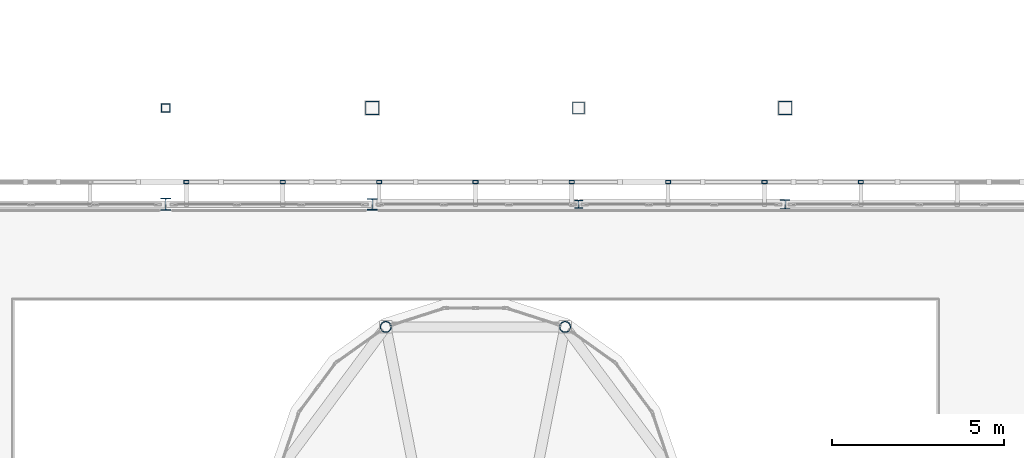
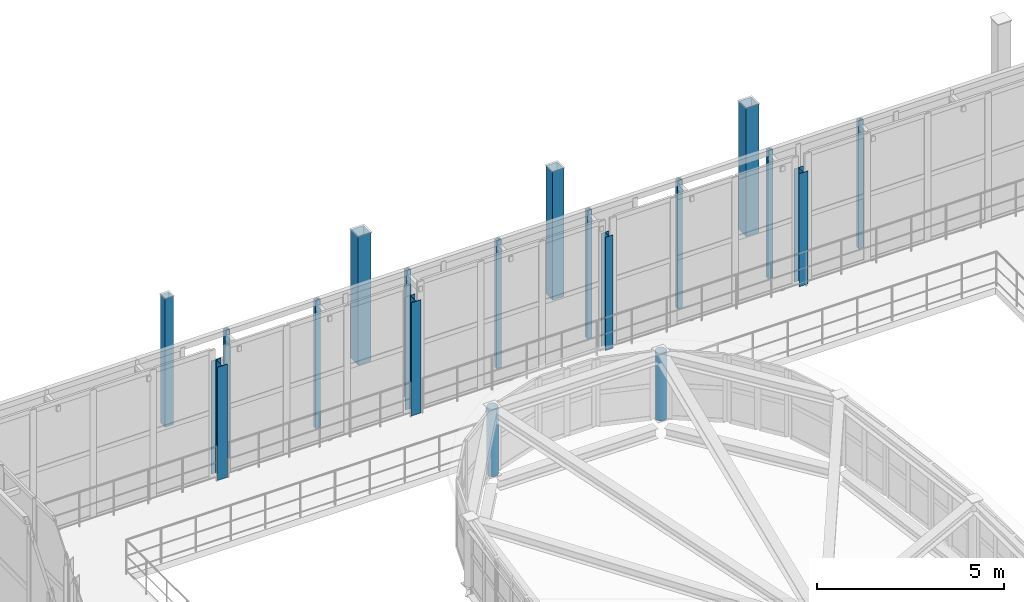
# One storey, part 11 of 78: 18 columns.
"""IFC4 building model written with IfcOpenShell, lengths in metres."""

from ifc_helpers import new_model, si_unit, direction, frame, origin, origin_2d, place, context, subcontext, project, spatial, hollow_rectangle, hollow_circle, i_section, extrude, material, material_profile, profile_set, type_object, element, save


model = new_model("IFC4")

# Units and contexts
model_context = context("Model", 3, precision=1e-05, world=origin(), true_north=direction((0.0, 1.0)))
body_context = subcontext(model_context, "Body", "Model", "MODEL_VIEW")
ifc_project = project(units=[si_unit("LENGTHUNIT", "METRE"), si_unit("AREAUNIT", "SQUARE_METRE"), si_unit("VOLUMEUNIT", "CUBIC_METRE"), si_unit("PLANEANGLEUNIT", "RADIAN"), si_unit("MASSUNIT", "GRAM", prefix="KILO")], contexts=[model_context])

# Site, building, storey
site_placement = place(None, origin())
site = spatial("IfcSite", under=ifc_project, at=site_placement, CompositionType="ELEMENT")
building_placement = place(site_placement, origin())
building = spatial("IfcBuilding", under=site, at=building_placement, Name="Vinh Khe Railworks Police Headquarters", CompositionType="ELEMENT")
storey_placement = place(building_placement, frame((0.0, 0.0, 13.199951171875)))
storey = spatial("IfcBuildingStorey", under=building, at=storey_placement, Name="L03", CompositionType="ELEMENT", Elevation=13.199951171875)

# Columns
ifc_material = material(Name="Steel S355JR", Category="steel")
ifc_material_profile_1 = material_profile(ifc_material, hollow_rectangle(XDim=0.14990234375, YDim=0.10009765625, WallThickness=0.008056640625, at=origin_2d()), Name="RHS 150x100x8")
ifc_profile_set_1 = profile_set([ifc_material_profile_1], Name="Steel S355JR")
column_type_1 = type_object("IfcColumnType", Name="COL-QUILT-POST", PredefinedType="COLUMN", material=ifc_profile_set_1)
for number, where, z_axis, x_axis, name in (
    (1, (34.800048828125, 59.449951171875, 0.0), (0.0, 0.0, 1.0), (1.0, 0.0, 0.0), "Patchwork Quilt Carrier Column N-4 (L03)"),
    (2, (37.60009765625, 59.449951171875, 0.0), (0.0, 0.0, 1.0), (1.0, 0.0, 0.0), "Patchwork Quilt Carrier Column N-5 (L03)"),
    (3, (40.39990234375, 59.449951171875, 0.0), (0.0, 0.0, 1.0), (1.0, 0.0, 0.0), "Patchwork Quilt Carrier Column N-6 (L03)"),
    (4, (43.199951171875, 59.449951171875, 0.0), (0.0, 0.0, 1.0), (1.0, 0.0, 0.0), "Patchwork Quilt Carrier Column N-7 (L03)"),
    (5, (46.0, 59.449951171875, 0.0), (0.0, 0.0, 1.0), (1.0, 0.0, 0.0), "Patchwork Quilt Carrier Column N-8 (L03)"),
    (6, (48.800048828125, 59.449951171875, 0.0), (0.0, 0.0, 1.0), (1.0, 0.0, 0.0), "Patchwork Quilt Carrier Column N-9 (L03)"),
    (7, (51.60009765625, 59.449951171875, 0.0), (0.0, 0.0, 1.0), (1.0, 0.0, 0.0), "Patchwork Quilt Carrier Column N-10 (L03)"),
    (8, (54.39990234375, 59.449951171875, 0.0), (0.0, 0.0, 1.0), (1.0, 0.0, 0.0), "Patchwork Quilt Carrier Column N-11 (L03)"),
):
    element("IfcColumn", number, at=place(storey_placement, frame(where, z_axis=z_axis, x_axis=x_axis)), inside=storey, type_object=column_type_1, Name=name, PredefinedType="COLUMN", context=body_context, shape_type="SweptSolid", body=[
        extrude(hollow_rectangle(XDim=0.14990234375, YDim=0.10009765625, WallThickness=0.008056640625, at=origin_2d()), origin(), (0.0, 0.0, 1.0), 4.199951171875),
    ])
ifc_material_profile_2 = material_profile(ifc_material, hollow_circle(Radius=0.161865234375, WallThickness=0.01611328125, at=origin_2d()), Name="CHS 323.9x16")
ifc_profile_set_2 = profile_set([ifc_material_profile_2], Name="Steel S355JR")
column_type_2 = type_object("IfcColumnType", Name="Steel Column CHS 323.9x16", PredefinedType="COLUMN", material=ifc_profile_set_2)
for number, where, z_axis, x_axis, name in (
    (9, (40.594970703125, 55.237548828125, 0.0), (0.0, 0.0, 1.0), (-0.581981048437, 0.813202348287, 0.0), "Column COL-L03-SC-28-0887"),
    (10, (45.80517578125, 55.237548828125, 0.0), (0.0, 0.0, 1.0), (0.30552912238, 0.952182732136, 0.0), "Column COL-L03-SC-28-0897"),
):
    element("IfcColumn", number, at=place(storey_placement, frame(where, z_axis=z_axis, x_axis=x_axis)), inside=storey, type_object=column_type_2, Name=name, PredefinedType="COLUMN", context=body_context, shape_type="SweptSolid", body=[
        extrude(hollow_circle(Radius=0.161865234375, WallThickness=0.01611328125, at=origin_2d()), origin(), (0.0, 0.0, 1.0), 2.199951171875),
    ])
ifc_material_profile_3 = material_profile(ifc_material, i_section(OverallWidth=0.239990234375, OverallDepth=0.22998046875, WebThickness=0.007568359375, FlangeThickness=0.011962890625, FilletRadius=0.02099609375, at=origin_2d()), Name="HEA 240")
ifc_profile_set_3 = profile_set([ifc_material_profile_3], Name="Steel S355JR")
column_type_3 = type_object("IfcColumnType", Name="Steel Column HEA 240", PredefinedType="COLUMN", material=ifc_profile_set_3)
column_1_placement = place(storey_placement, frame((46.199951171875, 58.800048828125, 0.0), z_axis=(0.0, 0.0, 1.0), x_axis=(1.0, 0.0, 0.0)))
element("IfcColumn", 11, at=column_1_placement, inside=storey, type_object=column_type_3, Name="Column COL-L03-SC-20-0916", PredefinedType="COLUMN", context=body_context, shape_type="SweptSolid", body=[
    extrude(i_section(OverallWidth=0.239990234375, OverallDepth=0.22998046875, WebThickness=0.007568359375, FlangeThickness=0.011962890625, FilletRadius=0.02099609375, at=origin_2d()), origin(), (0.0, 0.0, 1.0), 3.699951171875),
])
ifc_material_profile_4 = material_profile(ifc_material, i_section(OverallWidth=0.280029296875, OverallDepth=0.27001953125, WebThickness=0.008056640625, FlangeThickness=0.012939453125, FilletRadius=0.02392578125, at=origin_2d()), Name="HEA 280")
ifc_profile_set_4 = profile_set([ifc_material_profile_4], Name="Steel S355JR")
column_type_4 = type_object("IfcColumnType", Name="Steel Column HEA 280", PredefinedType="COLUMN", material=ifc_profile_set_4)
column_2_placement = place(storey_placement, frame((52.199951171875, 58.800048828125, 0.0), z_axis=(0.0, 0.0, 1.0), x_axis=(1.0, 0.0, 0.0)))
element("IfcColumn", 12, at=column_2_placement, inside=storey, type_object=column_type_4, Name="Column COL-L03-SC-19-0977", PredefinedType="COLUMN", context=body_context, shape_type="SweptSolid", body=[
    extrude(i_section(OverallWidth=0.280029296875, OverallDepth=0.27001953125, WebThickness=0.008056640625, FlangeThickness=0.012939453125, FilletRadius=0.02392578125, at=origin_2d()), origin(), (0.0, 0.0, 1.0), 3.699951171875),
])
ifc_material_profile_5 = material_profile(ifc_material, i_section(OverallWidth=0.300048828125, OverallDepth=0.330078125, WebThickness=0.009521484375, FlangeThickness=0.0166015625, FilletRadius=0.027099609375, at=origin_2d()), Name="HEA 340")
ifc_profile_set_5 = profile_set([ifc_material_profile_5], Name="Steel S355JR")
column_type_5 = type_object("IfcColumnType", Name="Steel Column HEA 340", PredefinedType="COLUMN", material=ifc_profile_set_5)
column_3_placement = place(storey_placement, frame((40.199951171875, 58.800048828125, 0.0), z_axis=(0.0, 0.0, 1.0), x_axis=(1.0, 0.0, 0.0)))
element("IfcColumn", 13, at=column_3_placement, inside=storey, type_object=column_type_5, Name="Column COL-L03-SC-17-0867", PredefinedType="COLUMN", context=body_context, shape_type="SweptSolid", body=[
    extrude(i_section(OverallWidth=0.300048828125, OverallDepth=0.330078125, WebThickness=0.009521484375, FlangeThickness=0.0166015625, FilletRadius=0.027099609375, at=origin_2d()), origin(), (0.0, 0.0, 1.0), 3.699951171875),
])
ifc_material_profile_6 = material_profile(ifc_material, i_section(OverallWidth=0.300048828125, OverallDepth=0.35009765625, WebThickness=0.010009765625, FlangeThickness=0.017578125, FilletRadius=0.027099609375, at=origin_2d()), Name="HEA 360")
ifc_profile_set_6 = profile_set([ifc_material_profile_6], Name="Steel S355JR")
column_type_6 = type_object("IfcColumnType", Name="Steel Column HEA 360", PredefinedType="COLUMN", material=ifc_profile_set_6)
column_4_placement = place(storey_placement, frame((34.199951171875, 58.800048828125, 0.0), z_axis=(0.0, 0.0, 1.0), x_axis=(1.0, 0.0, 0.0)))
element("IfcColumn", 14, at=column_4_placement, inside=storey, type_object=column_type_6, Name="Column COL-L03-SC-16-0798", PredefinedType="COLUMN", context=body_context, shape_type="SweptSolid", body=[
    extrude(i_section(OverallWidth=0.300048828125, OverallDepth=0.35009765625, WebThickness=0.010009765625, FlangeThickness=0.017578125, FilletRadius=0.027099609375, at=origin_2d()), origin(), (0.0, 0.0, 1.0), 3.699951171875),
])
ifc_material_profile_7 = material_profile(ifc_material, hollow_rectangle(XDim=0.25, YDim=0.25, WallThickness=0.012451171875, at=origin_2d()), Name="SHS 250x250x12.5")
ifc_profile_set_7 = profile_set([ifc_material_profile_7], Name="Steel S355JR")
column_type_7 = type_object("IfcColumnType", Name="Steel Column SHS 250x250x12.5", PredefinedType="COLUMN", material=ifc_profile_set_7)
column_5_placement = place(storey_placement, frame((34.199951171875, 61.60009765625, 0.0), z_axis=(0.0, 0.0, 1.0), x_axis=(1.0, 0.0, 0.0)))
element("IfcColumn", 15, at=column_5_placement, inside=storey, type_object=column_type_7, Name="Column COL-L03-SC-24-0803", PredefinedType="COLUMN", context=body_context, shape_type="SweptSolid", body=[
    extrude(hollow_rectangle(XDim=0.25, YDim=0.25, WallThickness=0.012451171875, at=origin_2d()), origin(), (0.0, 0.0, 1.0), 4.199951171875),
])
ifc_material_profile_8 = material_profile(ifc_material, hollow_rectangle(XDim=0.35009765625, YDim=0.35009765625, WallThickness=0.01611328125, at=origin_2d()), Name="SHS 350x350x16")
ifc_profile_set_8 = profile_set([ifc_material_profile_8], Name="Steel S355JR")
column_type_8 = type_object("IfcColumnType", Name="Steel Column SHS 350x350x16", PredefinedType="COLUMN", material=ifc_profile_set_8)
column_6_placement = place(storey_placement, frame((46.199951171875, 61.60009765625, 0.0), z_axis=(0.0, 0.0, 1.0), x_axis=(1.0, 0.0, 0.0)))
element("IfcColumn", 16, at=column_6_placement, inside=storey, type_object=column_type_8, Name="Column COL-L03-SC-22-0921", PredefinedType="COLUMN", context=body_context, shape_type="SweptSolid", body=[
    extrude(hollow_rectangle(XDim=0.35009765625, YDim=0.35009765625, WallThickness=0.01611328125, at=origin_2d()), origin(), (0.0, 0.0, 1.0), 4.199951171875),
])
ifc_material_profile_9 = material_profile(ifc_material, hollow_rectangle(XDim=0.39990234375, YDim=0.39990234375, WallThickness=0.02001953125, at=origin_2d()), Name="SHS 400x400x20")
ifc_profile_set_9 = profile_set([ifc_material_profile_9], Name="Steel S355JR")
column_type_9 = type_object("IfcColumnType", Name="Steel Column SHS 400x400x20", PredefinedType="COLUMN", material=ifc_profile_set_9)
for number, where, z_axis, x_axis, name in (
    (17, (40.199951171875, 61.60009765625, 0.0), (0.0, 0.0, 1.0), (1.0, 0.0, 0.0), "Column COL-L03-SC-21-0872"),
    (18, (52.199951171875, 61.60009765625, 0.0), (0.0, 0.0, 1.0), (1.0, 0.0, 0.0), "Column COL-L03-SC-21-0982"),
):
    element("IfcColumn", number, at=place(storey_placement, frame(where, z_axis=z_axis, x_axis=x_axis)), inside=storey, type_object=column_type_9, Name=name, PredefinedType="COLUMN", context=body_context, shape_type="SweptSolid", body=[
        extrude(hollow_rectangle(XDim=0.39990234375, YDim=0.39990234375, WallThickness=0.02001953125, at=origin_2d()), origin(), (0.0, 0.0, 1.0), 4.199951171875),
    ])

save(model, "model.ifc")
